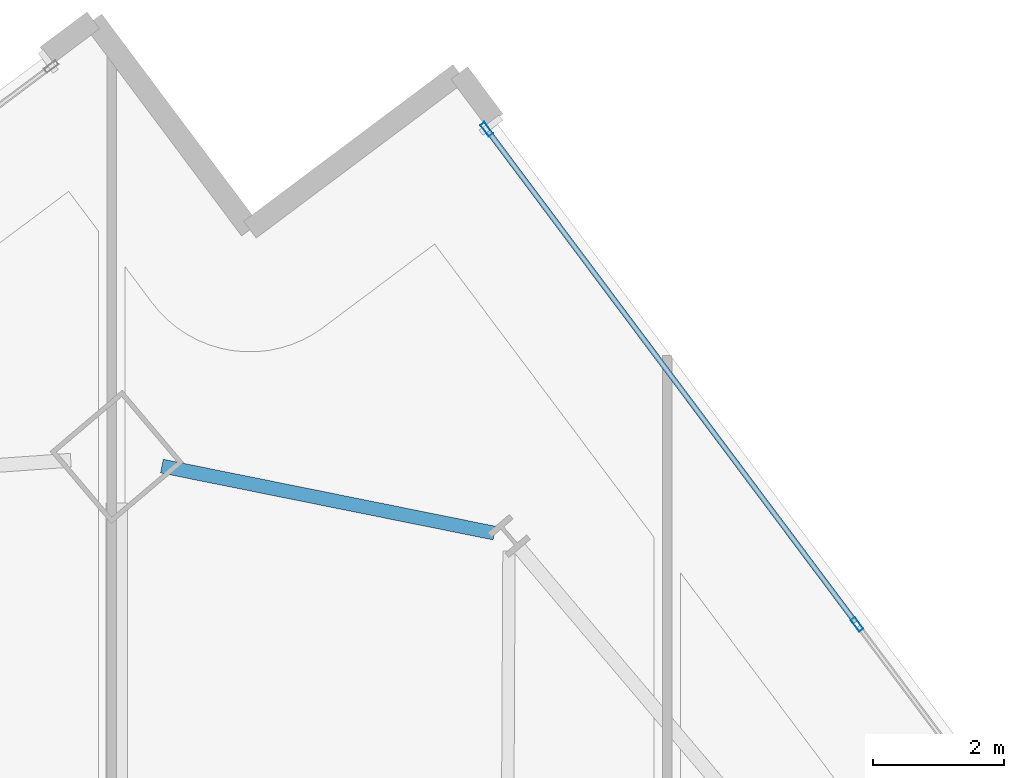
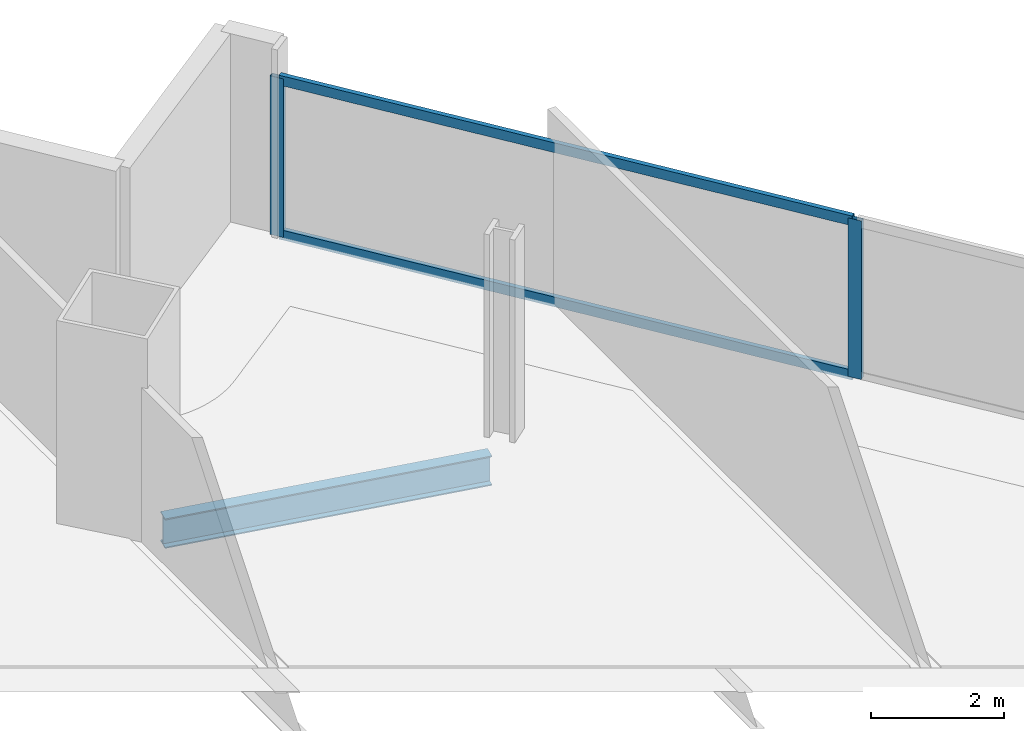
# One storey, part 20 of 32: 4 members, 1 beam, 1 element without a shape of its own.
"""IFC4 building model written with IfcOpenShell, lengths in metres."""

from ifc_helpers import new_model, si_unit, direction, frame, origin, origin_2d, place, context, subcontext, project, spatial, hollow_rectangle, i_section, extrude, material, material_profile, profile_set, type_object, element, aggregate, save


model = new_model("IFC4")

# Units and contexts
model_context = context("Model", 3, precision=1e-05, world=origin(), true_north=direction((0.0, 1.0)))
body_context = subcontext(model_context, "Body", "Model", "MODEL_VIEW")
ifc_project = project(units=[si_unit("LENGTHUNIT", "METRE"), si_unit("AREAUNIT", "SQUARE_METRE"), si_unit("VOLUMEUNIT", "CUBIC_METRE"), si_unit("PLANEANGLEUNIT", "RADIAN"), si_unit("MASSUNIT", "GRAM", prefix="KILO")], contexts=[model_context])

# Site, building, storey
site_placement = place(None, origin())
site = spatial("IfcSite", under=ifc_project, at=site_placement, CompositionType="ELEMENT")
building_placement = place(site_placement, origin())
building = spatial("IfcBuilding", under=site, at=building_placement, Name="Haldenkirk Collegiate Tower", CompositionType="ELEMENT")
storey_placement = place(building_placement, frame((0.0, 0.0, 151.949951171875)))
storey = spatial("IfcBuildingStorey", under=building, at=storey_placement, Name="L37", CompositionType="ELEMENT", Elevation=151.949951171875)

# Beam
ifc_material_1 = material(Name="Steel ASTM A992 Grade 50", Category="steel")
ifc_material_profile_1 = material_profile(ifc_material_1, i_section(OverallWidth=0.2119140625, OverallDepth=0.5439453125, WebThickness=0.01318359375, FlangeThickness=0.021240234375, at=origin_2d()), Name="W21X83")
ifc_profile_set_1 = profile_set([ifc_material_profile_1], Name="Steel ASTM A992 Grade 50")
beam_type = type_object("IfcBeamType", Name="BM-SPANDREL-W21X83", PredefinedType="SPANDREL", material=ifc_profile_set_1)
beam_placement = place(storey_placement, frame((44.85546875, 49.910400390625, -0.56201171875), z_axis=(-0.980286465062, 0.197581493102, 0.0), x_axis=(-0.197581493102, -0.980286465062, 0.0)))
element("IfcBeam", 1, at=beam_placement, inside=storey, type_object=beam_type, Name="L37 perimeter spandrel beam 08", PredefinedType="SPANDREL", context=body_context, shape_type="SweptSolid", body=[
    extrude(i_section(OverallWidth=0.2119140625, OverallDepth=0.5439453125, WebThickness=0.01318359375, FlangeThickness=0.021240234375, at=origin_2d()), origin(), (0.0, 0.0, 1.0), 5.189697265625),
])

# Curtain wall, members
ifc_material_2 = material(Name="Anodised architectural bronze aluminium", Category="aluminium")
curtain_wall_type = type_object("IfcCurtainWallType", Name="CW-SYS1-CONVEX-LOW", PredefinedType="USERDEFINED", material=ifc_material_2)
curtain_wall_placement = place(storey_placement, origin())
curtain_wall = element("IfcCurtainWall", 2, at=curtain_wall_placement, inside=storey, type_object=curtain_wall_type, Name="L37 Lower tower convex bronze-framed unitised curtain wall", ObjectType="UNITISED CURTAIN WALL", PredefinedType="USERDEFINED")
ifc_material_profile_2 = material_profile(ifc_material_2, hollow_rectangle(XDim=0.080078125, YDim=0.219970703125, WallThickness=0.0048828125, at=origin_2d()), Name="CW-MUL-1A")
ifc_profile_set_2 = profile_set([ifc_material_profile_2], Name="Anodised architectural bronze aluminium")
member_type_1 = type_object("IfcMemberType", Name="CW-MUL-1A", PredefinedType="MULLION", material=ifc_profile_set_2)
member_1_placement = place(storey_placement, frame((44.73681640625, 56.08935546875, 0.0), z_axis=(0.0, 0.0, 1.0), x_axis=(0.800730460187, 0.599024815954, 0.0)))
member_1 = element("IfcMember", 3, at=member_1_placement, type_object=member_type_1, Name="CW-1A mullion 1", PredefinedType="MULLION", context=body_context, shape_type="SweptSolid", body=[
    extrude(hollow_rectangle(XDim=0.080078125, YDim=0.219970703125, WallThickness=0.0048828125, at=origin_2d()), origin(), (0.0, 0.0, 1.0), 2.9111328125),
])
member_2_placement = place(storey_placement, frame((50.403564453125, 48.514404296875, 0.0), z_axis=(0.0, 0.0, 1.0), x_axis=(0.800730460187, 0.599024815954, 0.0)))
member_2 = element("IfcMember", 4, at=member_2_placement, type_object=member_type_1, Name="CW-1A mullion 2", PredefinedType="MULLION", context=body_context, shape_type="SweptSolid", body=[
    extrude(hollow_rectangle(XDim=0.080078125, YDim=0.219970703125, WallThickness=0.0048828125, at=origin_2d()), origin(), (0.0, 0.0, 1.0), 2.9111328125),
])
ifc_material_profile_3 = material_profile(ifc_material_2, hollow_rectangle(XDim=0.080078125, YDim=0.179931640625, WallThickness=0.0048828125, at=origin_2d()), Name="CW-TRN-1A")
ifc_profile_set_3 = profile_set([ifc_material_profile_3], Name="Anodised architectural bronze aluminium")
member_type_2 = type_object("IfcMemberType", Name="CW-TRN-1A", PredefinedType="USERDEFINED", material=ifc_profile_set_3)
member_3_placement = place(storey_placement, frame((44.7607421875, 56.057373046875, 0.0400390625), z_axis=(0.599020920324, -0.800733374485, 0.0), x_axis=(0.800733374485, 0.599020920324, 0.0)))
member_3 = element("IfcMember", 5, at=member_3_placement, type_object=member_type_2, Name="CW-1A transom 1.1", ObjectType="TRANSOM", PredefinedType="USERDEFINED", context=body_context, shape_type="SweptSolid", body=[
    extrude(hollow_rectangle(XDim=0.080078125, YDim=0.179931640625, WallThickness=0.0048828125, at=origin_2d()), origin(), (0.0, 0.0, 1.0), 9.380126953125),
])
member_4_placement = place(storey_placement, frame((44.7607421875, 56.057373046875, 2.87109375), z_axis=(0.599020920324, -0.800733374485, 0.0), x_axis=(0.800733374485, 0.599020920324, 0.0)))
member_4 = element("IfcMember", 6, at=member_4_placement, type_object=member_type_2, Name="CW-1A transom 1.2", ObjectType="TRANSOM", PredefinedType="USERDEFINED", context=body_context, shape_type="SweptSolid", body=[
    extrude(hollow_rectangle(XDim=0.080078125, YDim=0.179931640625, WallThickness=0.0048828125, at=origin_2d()), origin(), (0.0, 0.0, 1.0), 9.380126953125),
])
aggregate(curtain_wall, [member_1, member_2, member_3, member_4])

save(model, "model.ifc")
